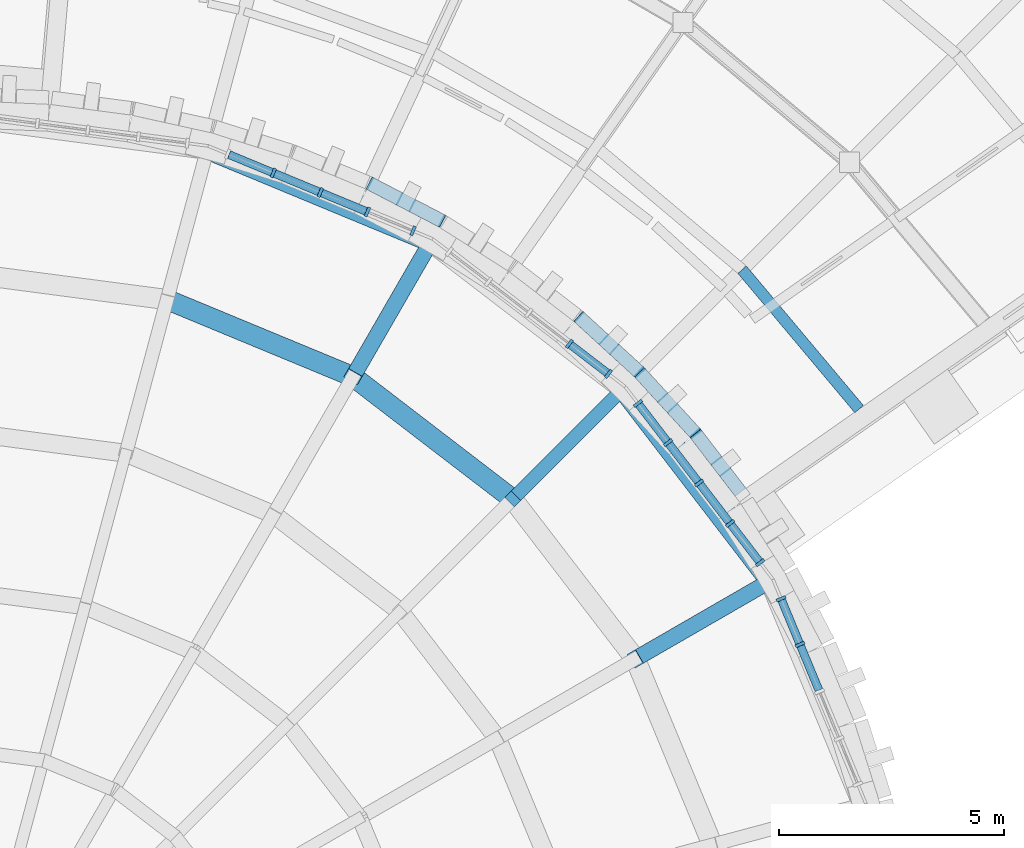
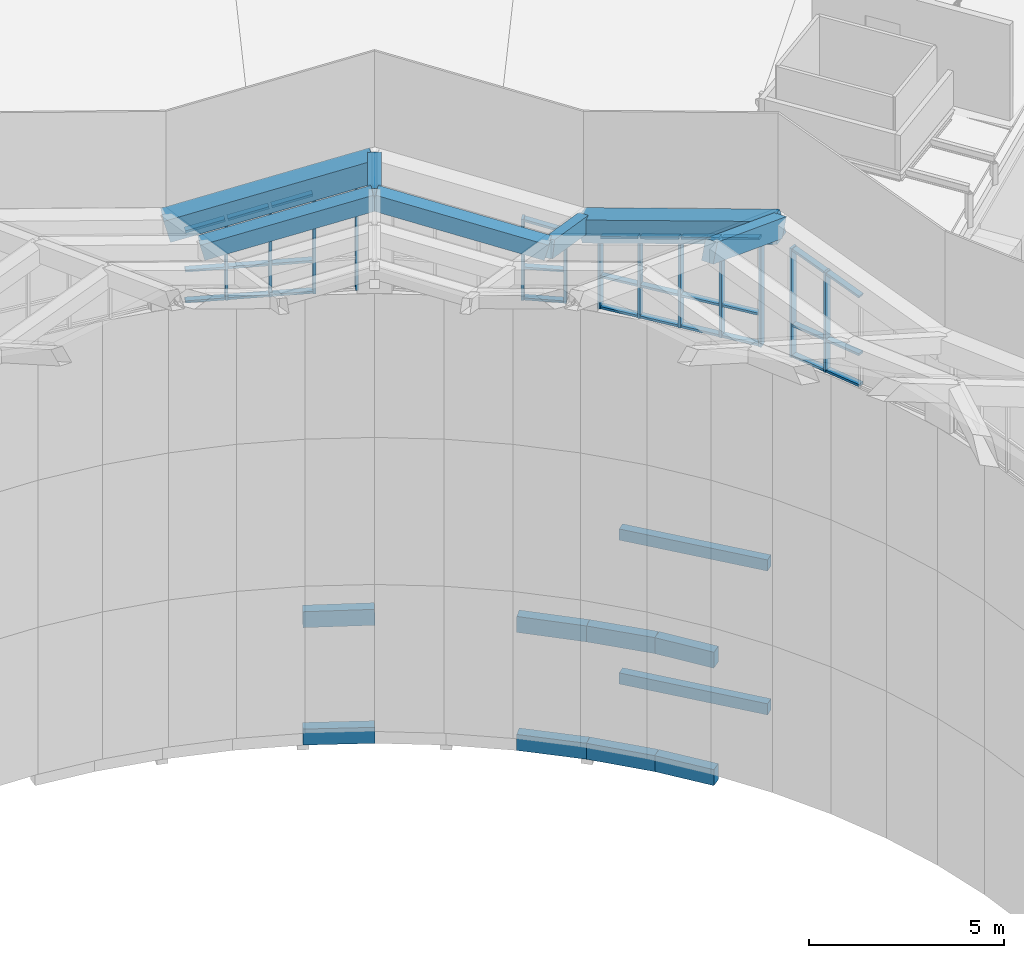
# One storey, part 17 of 82: 43 members, 17 beams, 4 elements without a shape of their own.
"""IFC4 building model written with IfcOpenShell, lengths in metres."""

from ifc_helpers import new_model, si_unit, direction, frame, origin, origin_2d, place, context, subcontext, project, spatial, rectangle, extrude, material, layer, layer_set, material_profile, profile_set, type_object, element, aggregate, save


model = new_model("IFC4")

# Units and contexts
model_context = context("Model", 3, precision=1e-05, world=origin(), true_north=direction((0.0, 1.0)))
body_context = subcontext(model_context, "Body", "Model", "MODEL_VIEW")
ifc_project = project(units=[si_unit("LENGTHUNIT", "METRE"), si_unit("AREAUNIT", "SQUARE_METRE"), si_unit("VOLUMEUNIT", "CUBIC_METRE"), si_unit("PLANEANGLEUNIT", "RADIAN"), si_unit("MASSUNIT", "GRAM", prefix="KILO")], contexts=[model_context])

# Site, building, storey
site_placement = place(None, origin())
site = spatial("IfcSite", under=ifc_project, at=site_placement, CompositionType="ELEMENT")
building_placement = place(site_placement, origin())
building = spatial("IfcBuilding", under=site, at=building_placement, Name="Volute Hill Aquarium", CompositionType="ELEMENT")
storey_placement = place(building_placement, frame((0.0, 0.0, 13.800048828125)))
storey = spatial("IfcBuildingStorey", under=building, at=storey_placement, Name="L04", CompositionType="ELEMENT", Elevation=13.800048828125)

# Curtain wall, members
ifc_material_1 = material(Name="Aluminium", Category="aluminium")
ifc_layer = layer(ifc_material_1, 0.219970703125)
ifc_layer_set = layer_set([ifc_layer], Name="Curtain wall DR clerestory module 1134")
curtain_wall_type = type_object("IfcCurtainWallType", Name="Curtain wall DR clerestory module 1134", PredefinedType="NOTDEFINED", material=ifc_layer_set)
curtain_wall_1_placement = place(storey_placement, origin())
curtain_wall_1 = element("IfcCurtainWall", 1, at=curtain_wall_1_placement, inside=storey, type_object=curtain_wall_type, Name="Curtain wall CW DR clerestory c01", PredefinedType="NOTDEFINED")
ifc_material_2 = material(Name="Aluminium", Category="aluminium")
ifc_material_profile_1 = material_profile(ifc_material_2, rectangle(XDim=0.219970703125, YDim=0.070068359375, at=origin_2d()), Name="Curtain wall mullion clerestory 70x220")
ifc_profile_set_1 = profile_set([ifc_material_profile_1], Name="Aluminium")
member_type_1 = type_object("IfcMemberType", Name="Curtain wall mullion clerestory 70x220", PredefinedType="MULLION", material=ifc_profile_set_1)
member_1_placement = place(storey_placement, frame((18.526611328125, 8.9013671875, 13.699951171875), z_axis=(0.0, 0.0, 1.0), x_axis=(-0.923874284426, -0.382696102118, 0.0)))
member_1 = element("IfcMember", 2, at=member_1_placement, type_object=member_type_1, Name="Mullion DR clerestory 4", PredefinedType="MULLION", context=body_context, shape_type="SweptSolid", body=[
    extrude(rectangle(XDim=0.219970703125, YDim=0.070068359375, at=origin_2d()), origin(), (0.0, 0.0, 1.0), 3.12109375),
])
member_2_placement = place(storey_placement, frame((18.106201171875, 9.916748046875, 13.699951171875), z_axis=(0.0, 0.0, 1.0), x_axis=(-0.923874284426, -0.382696102118, 0.0)))
member_2 = element("IfcMember", 3, at=member_2_placement, type_object=member_type_1, Name="Mullion DR clerestory 5", PredefinedType="MULLION", context=body_context, shape_type="SweptSolid", body=[
    extrude(rectangle(XDim=0.219970703125, YDim=0.070068359375, at=origin_2d()), origin(), (0.0, 0.0, 1.0), 3.40576171875),
])

curtain_wall_2_placement = place(storey_placement, origin())
curtain_wall_2 = element("IfcCurtainWall", 4, at=curtain_wall_2_placement, inside=storey, type_object=curtain_wall_type, Name="Curtain wall CW DR clerestory c02", PredefinedType="NOTDEFINED")
member_3_placement = place(storey_placement, frame((17.641357421875, 10.721923828125, 13.699951171875), z_axis=(0.0, 0.0, 1.0), x_axis=(-0.793354013303, -0.608760551921, 0.0)))
member_3 = element("IfcMember", 5, at=member_3_placement, type_object=member_type_1, Name="Mullion DR clerestory 1", PredefinedType="MULLION", context=body_context, shape_type="SweptSolid", body=[
    extrude(rectangle(XDim=0.219970703125, YDim=0.070068359375, at=origin_2d()), origin(), (0.0, 0.0, 1.0), 3.40576171875),
])
member_4_placement = place(storey_placement, frame((16.97216796875, 11.593994140625, 13.699951171875), z_axis=(0.0, 0.0, 1.0), x_axis=(-0.793354013303, -0.608760551921, 0.0)))
member_4 = element("IfcMember", 6, at=member_4_placement, type_object=member_type_1, Name="Mullion DR clerestory 2", PredefinedType="MULLION", context=body_context, shape_type="SweptSolid", body=[
    extrude(rectangle(XDim=0.219970703125, YDim=0.070068359375, at=origin_2d()), origin(), (0.0, 0.0, 1.0), 3.12109375),
])
member_5_placement = place(storey_placement, frame((16.281982421875, 12.49365234375, 13.699951171875), z_axis=(0.0, 0.0, 1.0), x_axis=(-0.793354013303, -0.608760551921, 0.0)))
member_5 = element("IfcMember", 7, at=member_5_placement, type_object=member_type_1, Name="Mullion DR clerestory 3", PredefinedType="MULLION", context=body_context, shape_type="SweptSolid", body=[
    extrude(rectangle(XDim=0.219970703125, YDim=0.070068359375, at=origin_2d()), origin(), (0.0, 0.0, 1.0), 2.827392578125),
])
member_6_placement = place(storey_placement, frame((15.591552734375, 13.393310546875, 13.699951171875), z_axis=(0.0, 0.0, 1.0), x_axis=(-0.793354013303, -0.608760551921, 0.0)))
member_6 = element("IfcMember", 8, at=member_6_placement, type_object=member_type_1, Name="Mullion DR clerestory 4", PredefinedType="MULLION", context=body_context, shape_type="SweptSolid", body=[
    extrude(rectangle(XDim=0.219970703125, YDim=0.070068359375, at=origin_2d()), origin(), (0.0, 0.0, 1.0), 2.533447265625),
])
member_7_placement = place(storey_placement, frame((14.922607421875, 14.26513671875, 13.699951171875), z_axis=(0.0, 0.0, 1.0), x_axis=(-0.793354013303, -0.608760551921, 0.0)))
member_7 = element("IfcMember", 9, at=member_7_placement, type_object=member_type_1, Name="Mullion DR clerestory 5", PredefinedType="MULLION", context=body_context, shape_type="SweptSolid", body=[
    extrude(rectangle(XDim=0.219970703125, YDim=0.070068359375, at=origin_2d()), origin(), (0.0, 0.0, 1.0), 2.248779296875),
])

curtain_wall_3_placement = place(storey_placement, origin())
curtain_wall_3 = element("IfcCurtainWall", 10, at=curtain_wall_3_placement, inside=storey, type_object=curtain_wall_type, Name="Curtain wall CW DR clerestory c03", PredefinedType="NOTDEFINED")
member_8_placement = place(storey_placement, frame((14.26513671875, 14.922607421875, 13.699951171875), z_axis=(0.0, 0.0, 1.0), x_axis=(-0.608760551921, -0.793354013303, 0.0)))
member_8 = element("IfcMember", 11, at=member_8_placement, type_object=member_type_1, Name="Mullion DR clerestory 1", PredefinedType="MULLION", context=body_context, shape_type="SweptSolid", body=[
    extrude(rectangle(XDim=0.219970703125, YDim=0.070068359375, at=origin_2d()), origin(), (0.0, 0.0, 1.0), 2.248779296875),
])
member_9_placement = place(storey_placement, frame((13.393310546875, 15.591552734375, 13.699951171875), z_axis=(0.0, 0.0, 1.0), x_axis=(-0.608760551921, -0.793354013303, 0.0)))
member_9 = element("IfcMember", 12, at=member_9_placement, type_object=member_type_1, Name="Mullion DR clerestory 2", PredefinedType="MULLION", context=body_context, shape_type="SweptSolid", body=[
    extrude(rectangle(XDim=0.219970703125, YDim=0.070068359375, at=origin_2d()), origin(), (0.0, 0.0, 1.0), 2.533447265625),
])

curtain_wall_4_placement = place(storey_placement, origin())
curtain_wall_4 = element("IfcCurtainWall", 13, at=curtain_wall_4_placement, inside=storey, type_object=curtain_wall_type, Name="Curtain wall CW DR clerestory c04", PredefinedType="NOTDEFINED")
member_10_placement = place(storey_placement, frame((9.916748046875, 18.106201171875, 13.699951171875), z_axis=(0.0, 0.0, 1.0), x_axis=(-0.382696102118, -0.923874284426, 0.0)))
member_10 = element("IfcMember", 14, at=member_10_placement, type_object=member_type_1, Name="Mullion DR clerestory 1", PredefinedType="MULLION", context=body_context, shape_type="SweptSolid", body=[
    extrude(rectangle(XDim=0.219970703125, YDim=0.070068359375, at=origin_2d()), origin(), (0.0, 0.0, 1.0), 3.40576171875),
])
member_11_placement = place(storey_placement, frame((8.9013671875, 18.526611328125, 13.699951171875), z_axis=(0.0, 0.0, 1.0), x_axis=(-0.382696102118, -0.923874284426, 0.0)))
member_11 = element("IfcMember", 15, at=member_11_placement, type_object=member_type_1, Name="Mullion DR clerestory 2", PredefinedType="MULLION", context=body_context, shape_type="SweptSolid", body=[
    extrude(rectangle(XDim=0.219970703125, YDim=0.070068359375, at=origin_2d()), origin(), (0.0, 0.0, 1.0), 3.12109375),
])
member_12_placement = place(storey_placement, frame((7.853759765625, 18.960693359375, 13.699951171875), z_axis=(0.0, 0.0, 1.0), x_axis=(-0.382696102118, -0.923874284426, 0.0)))
member_12 = element("IfcMember", 16, at=member_12_placement, type_object=member_type_1, Name="Mullion DR clerestory 3", PredefinedType="MULLION", context=body_context, shape_type="SweptSolid", body=[
    extrude(rectangle(XDim=0.219970703125, YDim=0.070068359375, at=origin_2d()), origin(), (0.0, 0.0, 1.0), 2.827392578125),
])
member_13_placement = place(storey_placement, frame((6.80615234375, 19.394775390625, 13.699951171875), z_axis=(0.0, 0.0, 1.0), x_axis=(-0.382696102118, -0.923874284426, 0.0)))
member_13 = element("IfcMember", 17, at=member_13_placement, type_object=member_type_1, Name="Mullion DR clerestory 4", PredefinedType="MULLION", context=body_context, shape_type="SweptSolid", body=[
    extrude(rectangle(XDim=0.219970703125, YDim=0.070068359375, at=origin_2d()), origin(), (0.0, 0.0, 1.0), 2.533447265625),
])

# Member
ifc_material_3 = material(Name="Aluminium", Category="aluminium")
ifc_material_profile_2 = material_profile(ifc_material_3, rectangle(XDim=0.179931640625, YDim=0.070068359375, at=origin_2d()), Name="Curtain wall transom clerestory 70x180")
ifc_profile_set_2 = profile_set([ifc_material_profile_2], Name="Aluminium")
member_type_2 = type_object("IfcMemberType", Name="Curtain wall transom clerestory 70x180", PredefinedType="USERDEFINED", material=ifc_profile_set_2)
member_14_placement = place(storey_placement, frame((18.947265625, 7.88623046875, 13.73486328125), z_axis=(-0.38275711533, 0.923849008585, 0.0), x_axis=(-0.923849008585, -0.38275711533, 0.0)))
member_14 = element("IfcMember", 18, at=member_14_placement, type_object=member_type_2, Name="Transom DR clerestory 3.1", ObjectType="TRANSOM", PredefinedType="USERDEFINED", context=body_context, shape_type="SweptSolid", body=[
    extrude(rectangle(XDim=0.179931640625, YDim=0.070068359375, at=origin_2d()), origin(), (0.0, 0.0, 1.0), 1.06396484375),
])

member_15_placement = place(storey_placement, frame((18.947265625, 7.88623046875, 14.699951171875), z_axis=(-0.38275711533, 0.923849008585, 0.0), x_axis=(-0.923849008585, -0.38275711533, 0.0)))
member_15 = element("IfcMember", 19, at=member_15_placement, type_object=member_type_2, Name="Transom DR clerestory 3.2", ObjectType="TRANSOM", PredefinedType="USERDEFINED", context=body_context, shape_type="SweptSolid", body=[
    extrude(rectangle(XDim=0.179931640625, YDim=0.070068359375, at=origin_2d()), origin(), (0.0, 0.0, 1.0), 1.06396484375),
])

member_16_placement = place(storey_placement, frame((18.947265625, 7.88623046875, 16.501220703125), z_axis=(-0.3705038637, 0.894273714183, 0.251000818934), x_axis=(-0.923849008585, -0.38275711533, 0.0)))
member_16 = element("IfcMember", 20, at=member_16_placement, type_object=member_type_2, Name="Head member DR clerestory 3", ObjectType="TRANSOM", PredefinedType="USERDEFINED", context=body_context, shape_type="SweptSolid", body=[
    extrude(rectangle(XDim=0.179931640625, YDim=0.070068359375, at=origin_2d()), origin(), (0.0, 0.0, 1.0), 1.09912109375),
])

member_17_placement = place(storey_placement, frame((18.513427734375, 8.933837890625, 13.73486328125), z_axis=(-0.382694041496, 0.923875137994, 0.0), x_axis=(-0.923875137994, -0.382694041496, 0.0)))
member_17 = element("IfcMember", 21, at=member_17_placement, type_object=member_type_2, Name="Transom DR clerestory 4.1", ObjectType="TRANSOM", PredefinedType="USERDEFINED", context=body_context, shape_type="SweptSolid", body=[
    extrude(rectangle(XDim=0.179931640625, YDim=0.070068359375, at=origin_2d()), origin(), (0.0, 0.0, 1.0), 1.029052734375),
])

member_18_placement = place(storey_placement, frame((18.513427734375, 8.933837890625, 14.699951171875), z_axis=(-0.382694041496, 0.923875137994, 0.0), x_axis=(-0.923875137994, -0.382694041496, 0.0)))
member_18 = element("IfcMember", 22, at=member_18_placement, type_object=member_type_2, Name="Transom DR clerestory 4.2", ObjectType="TRANSOM", PredefinedType="USERDEFINED", context=body_context, shape_type="SweptSolid", body=[
    extrude(rectangle(XDim=0.179931640625, YDim=0.070068359375, at=origin_2d()), origin(), (0.0, 0.0, 1.0), 1.029052734375),
])

member_19_placement = place(storey_placement, frame((18.513427734375, 8.933837890625, 16.795166015625), z_axis=(-0.370462446249, 0.894346413946, 0.250802846438), x_axis=(-0.923875137994, -0.382694041496, 0.0)))
member_19 = element("IfcMember", 23, at=member_19_placement, type_object=member_type_2, Name="Head member DR clerestory 4", ObjectType="TRANSOM", PredefinedType="USERDEFINED", context=body_context, shape_type="SweptSolid", body=[
    extrude(rectangle(XDim=0.179931640625, YDim=0.070068359375, at=origin_2d()), origin(), (0.0, 0.0, 1.0), 1.06298828125),
])

aggregate(curtain_wall_1, [member_1, member_2, member_14, member_15, member_16, member_17, member_18, member_19])

member_20_placement = place(storey_placement, frame((17.619873046875, 10.749755859375, 13.73486328125), z_axis=(-0.608620818261, 0.793461214918, 0.0), x_axis=(-0.793461214918, -0.608620818261, 0.0)))
member_20 = element("IfcMember", 24, at=member_20_placement, type_object=member_type_2, Name="Transom DR clerestory 1.1", ObjectType="TRANSOM", PredefinedType="USERDEFINED", context=body_context, shape_type="SweptSolid", body=[
    extrude(rectangle(XDim=0.179931640625, YDim=0.070068359375, at=origin_2d()), origin(), (0.0, 0.0, 1.0), 1.02880859375),
])

member_21_placement = place(storey_placement, frame((17.619873046875, 10.749755859375, 14.699951171875), z_axis=(-0.608620818261, 0.793461214918, 0.0), x_axis=(-0.793461214918, -0.608620818261, 0.0)))
member_21 = element("IfcMember", 25, at=member_21_placement, type_object=member_type_2, Name="Transom DR clerestory 1.2", ObjectType="TRANSOM", PredefinedType="USERDEFINED", context=body_context, shape_type="SweptSolid", body=[
    extrude(rectangle(XDim=0.179931640625, YDim=0.070068359375, at=origin_2d()), origin(), (0.0, 0.0, 1.0), 1.02880859375),
])

member_22_placement = place(storey_placement, frame((17.619873046875, 10.749755859375, 17.061767578125), z_axis=(-0.58916460075, 0.768096072089, -0.250825631196), x_axis=(-0.793461214918, -0.608620818261, 0.0)))
member_22 = element("IfcMember", 26, at=member_22_placement, type_object=member_type_2, Name="Head member DR clerestory 1", ObjectType="TRANSOM", PredefinedType="USERDEFINED", context=body_context, shape_type="SweptSolid", body=[
    extrude(rectangle(XDim=0.179931640625, YDim=0.070068359375, at=origin_2d()), origin(), (0.0, 0.0, 1.0), 1.06298828125),
])

member_23_placement = place(storey_placement, frame((16.950927734375, 11.62158203125, 13.73486328125), z_axis=(-0.608701247669, 0.793399515431, 0.0), x_axis=(-0.793399515431, -0.608701247669, 0.0)))
member_23 = element("IfcMember", 27, at=member_23_placement, type_object=member_type_2, Name="Transom DR clerestory 2.1", ObjectType="TRANSOM", PredefinedType="USERDEFINED", context=body_context, shape_type="SweptSolid", body=[
    extrude(rectangle(XDim=0.179931640625, YDim=0.070068359375, at=origin_2d()), origin(), (0.0, 0.0, 1.0), 1.06396484375),
])

member_24_placement = place(storey_placement, frame((16.950927734375, 11.62158203125, 14.699951171875), z_axis=(-0.608701247669, 0.793399515431, 0.0), x_axis=(-0.793399515431, -0.608701247669, 0.0)))
member_24 = element("IfcMember", 28, at=member_24_placement, type_object=member_type_2, Name="Transom DR clerestory 2.2", ObjectType="TRANSOM", PredefinedType="USERDEFINED", context=body_context, shape_type="SweptSolid", body=[
    extrude(rectangle(XDim=0.179931640625, YDim=0.070068359375, at=origin_2d()), origin(), (0.0, 0.0, 1.0), 1.06396484375),
])

member_25_placement = place(storey_placement, frame((16.950927734375, 11.62158203125, 16.777099609375), z_axis=(-0.589219970321, 0.768007032556, -0.250968174317), x_axis=(-0.793399515431, -0.608701247669, 0.0)))
member_25 = element("IfcMember", 29, at=member_25_placement, type_object=member_type_2, Name="Head member DR clerestory 2", ObjectType="TRANSOM", PredefinedType="USERDEFINED", context=body_context, shape_type="SweptSolid", body=[
    extrude(rectangle(XDim=0.179931640625, YDim=0.070068359375, at=origin_2d()), origin(), (0.0, 0.0, 1.0), 1.099365234375),
])

member_26_placement = place(storey_placement, frame((16.260498046875, 12.521240234375, 13.73486328125), z_axis=(-0.608701247669, 0.793399515431, 0.0), x_axis=(-0.793399515431, -0.608701247669, 0.0)))
member_26 = element("IfcMember", 30, at=member_26_placement, type_object=member_type_2, Name="Transom DR clerestory 3.1", ObjectType="TRANSOM", PredefinedType="USERDEFINED", context=body_context, shape_type="SweptSolid", body=[
    extrude(rectangle(XDim=0.179931640625, YDim=0.070068359375, at=origin_2d()), origin(), (0.0, 0.0, 1.0), 1.06396484375),
])

member_27_placement = place(storey_placement, frame((16.260498046875, 12.521240234375, 14.699951171875), z_axis=(-0.608701247669, 0.793399515431, 0.0), x_axis=(-0.793399515431, -0.608701247669, 0.0)))
member_27 = element("IfcMember", 31, at=member_27_placement, type_object=member_type_2, Name="Transom DR clerestory 3.2", ObjectType="TRANSOM", PredefinedType="USERDEFINED", context=body_context, shape_type="SweptSolid", body=[
    extrude(rectangle(XDim=0.179931640625, YDim=0.070068359375, at=origin_2d()), origin(), (0.0, 0.0, 1.0), 1.06396484375),
])

member_28_placement = place(storey_placement, frame((16.260498046875, 12.521240234375, 16.483154296875), z_axis=(-0.589252801041, 0.768049825103, -0.250760049896), x_axis=(-0.793399515431, -0.608701247669, 0.0)))
member_28 = element("IfcMember", 32, at=member_28_placement, type_object=member_type_2, Name="Head member DR clerestory 3", ObjectType="TRANSOM", PredefinedType="USERDEFINED", context=body_context, shape_type="SweptSolid", body=[
    extrude(rectangle(XDim=0.179931640625, YDim=0.070068359375, at=origin_2d()), origin(), (0.0, 0.0, 1.0), 1.09912109375),
])

member_29_placement = place(storey_placement, frame((15.5703125, 13.4208984375, 13.73486328125), z_axis=(-0.608770172228, 0.793346631306, 0.0), x_axis=(-0.793346631306, -0.608770172228, 0.0)))
member_29 = element("IfcMember", 33, at=member_29_placement, type_object=member_type_2, Name="Transom DR clerestory 4.1", ObjectType="TRANSOM", PredefinedType="USERDEFINED", context=body_context, shape_type="SweptSolid", body=[
    extrude(rectangle(XDim=0.179931640625, YDim=0.070068359375, at=origin_2d()), origin(), (0.0, 0.0, 1.0), 1.029052734375),
])

member_30_placement = place(storey_placement, frame((15.5703125, 13.4208984375, 14.699951171875), z_axis=(-0.608770172228, 0.793346631306, 0.0), x_axis=(-0.793346631306, -0.608770172228, 0.0)))
member_30 = element("IfcMember", 34, at=member_30_placement, type_object=member_type_2, Name="Transom DR clerestory 4.2", ObjectType="TRANSOM", PredefinedType="USERDEFINED", context=body_context, shape_type="SweptSolid", body=[
    extrude(rectangle(XDim=0.179931640625, YDim=0.070068359375, at=origin_2d()), origin(), (0.0, 0.0, 1.0), 1.029052734375),
])

member_31_placement = place(storey_placement, frame((15.5703125, 13.4208984375, 16.189453125), z_axis=(-0.589314533966, 0.767992128442, -0.250791687876), x_axis=(-0.793346631306, -0.608770172228, 0.0)))
member_31 = element("IfcMember", 35, at=member_31_placement, type_object=member_type_2, Name="Head member DR clerestory 4", ObjectType="TRANSOM", PredefinedType="USERDEFINED", context=body_context, shape_type="SweptSolid", body=[
    extrude(rectangle(XDim=0.179931640625, YDim=0.070068359375, at=origin_2d()), origin(), (0.0, 0.0, 1.0), 1.06298828125),
])

aggregate(curtain_wall_2, [member_3, member_4, member_5, member_6, member_7, member_20, member_21, member_22, member_23, member_24, member_25, member_26, member_27, member_28, member_29, member_30, member_31])

member_32_placement = place(storey_placement, frame((14.2373046875, 14.94384765625, 13.73486328125), z_axis=(-0.793346631306, 0.608770172228, 0.0), x_axis=(-0.608770172228, -0.793346631306, 0.0)))
member_32 = element("IfcMember", 36, at=member_32_placement, type_object=member_type_2, Name="Transom DR clerestory 1.1", ObjectType="TRANSOM", PredefinedType="USERDEFINED", context=body_context, shape_type="SweptSolid", body=[
    extrude(rectangle(XDim=0.179931640625, YDim=0.070068359375, at=origin_2d()), origin(), (0.0, 0.0, 1.0), 1.029052734375),
])

member_33_placement = place(storey_placement, frame((14.2373046875, 14.94384765625, 14.699951171875), z_axis=(-0.793346631306, 0.608770172228, 0.0), x_axis=(-0.608770172228, -0.793346631306, 0.0)))
member_33 = element("IfcMember", 37, at=member_33_placement, type_object=member_type_2, Name="Transom DR clerestory 1.2", ObjectType="TRANSOM", PredefinedType="USERDEFINED", context=body_context, shape_type="SweptSolid", body=[
    extrude(rectangle(XDim=0.179931640625, YDim=0.070068359375, at=origin_2d()), origin(), (0.0, 0.0, 1.0), 1.029052734375),
])

member_34_placement = place(storey_placement, frame((14.2373046875, 14.94384765625, 15.9228515625), z_axis=(-0.767992128442, 0.589314533966, 0.250791687876), x_axis=(-0.608770172228, -0.793346631306, 0.0)))
member_34 = element("IfcMember", 38, at=member_34_placement, type_object=member_type_2, Name="Head member DR clerestory 1", ObjectType="TRANSOM", PredefinedType="USERDEFINED", context=body_context, shape_type="SweptSolid", body=[
    extrude(rectangle(XDim=0.179931640625, YDim=0.070068359375, at=origin_2d()), origin(), (0.0, 0.0, 1.0), 1.06298828125),
])

aggregate(curtain_wall_3, [member_8, member_9, member_32, member_33, member_34])

member_35_placement = place(storey_placement, frame((8.869140625, 18.5400390625, 13.73486328125), z_axis=(-0.923849008585, 0.38275711533, 0.0), x_axis=(-0.38275711533, -0.923849008585, 0.0)))
member_35 = element("IfcMember", 39, at=member_35_placement, type_object=member_type_2, Name="Transom DR clerestory 2.1", ObjectType="TRANSOM", PredefinedType="USERDEFINED", context=body_context, shape_type="SweptSolid", body=[
    extrude(rectangle(XDim=0.179931640625, YDim=0.070068359375, at=origin_2d()), origin(), (0.0, 0.0, 1.0), 1.06396484375),
])

member_36_placement = place(storey_placement, frame((8.869140625, 18.5400390625, 14.699951171875), z_axis=(-0.923849008585, 0.38275711533, 0.0), x_axis=(-0.38275711533, -0.923849008585, 0.0)))
member_36 = element("IfcMember", 40, at=member_36_placement, type_object=member_type_2, Name="Transom DR clerestory 2.2", ObjectType="TRANSOM", PredefinedType="USERDEFINED", context=body_context, shape_type="SweptSolid", body=[
    extrude(rectangle(XDim=0.179931640625, YDim=0.070068359375, at=origin_2d()), origin(), (0.0, 0.0, 1.0), 1.06396484375),
])

member_37_placement = place(storey_placement, frame((8.869140625, 18.5400390625, 16.777099609375), z_axis=(-0.894273714183, 0.3705038637, -0.251000818934), x_axis=(-0.38275711533, -0.923849008585, 0.0)))
member_37 = element("IfcMember", 41, at=member_37_placement, type_object=member_type_2, Name="Head member DR clerestory 2", ObjectType="TRANSOM", PredefinedType="USERDEFINED", context=body_context, shape_type="SweptSolid", body=[
    extrude(rectangle(XDim=0.179931640625, YDim=0.070068359375, at=origin_2d()), origin(), (0.0, 0.0, 1.0), 1.09912109375),
])

member_38_placement = place(storey_placement, frame((7.821533203125, 18.97412109375, 13.73486328125), z_axis=(-0.923882616045, 0.382675987972, 0.0), x_axis=(-0.382675987972, -0.923882616045, 0.0)))
member_38 = element("IfcMember", 42, at=member_38_placement, type_object=member_type_2, Name="Transom DR clerestory 3.1", ObjectType="TRANSOM", PredefinedType="USERDEFINED", context=body_context, shape_type="SweptSolid", body=[
    extrude(rectangle(XDim=0.179931640625, YDim=0.070068359375, at=origin_2d()), origin(), (0.0, 0.0, 1.0), 1.064208984375),
])

member_39_placement = place(storey_placement, frame((7.821533203125, 18.97412109375, 14.699951171875), z_axis=(-0.923882616045, 0.382675987972, 0.0), x_axis=(-0.382675987972, -0.923882616045, 0.0)))
member_39 = element("IfcMember", 43, at=member_39_placement, type_object=member_type_2, Name="Transom DR clerestory 3.2", ObjectType="TRANSOM", PredefinedType="USERDEFINED", context=body_context, shape_type="SweptSolid", body=[
    extrude(rectangle(XDim=0.179931640625, YDim=0.070068359375, at=origin_2d()), origin(), (0.0, 0.0, 1.0), 1.064208984375),
])

member_40_placement = place(storey_placement, frame((7.821533203125, 18.97412109375, 16.483154296875), z_axis=(-0.894368010473, 0.37045091668, -0.250742856674), x_axis=(-0.382675987972, -0.923882616045, 0.0)))
member_40 = element("IfcMember", 44, at=member_40_placement, type_object=member_type_2, Name="Head member DR clerestory 3", ObjectType="TRANSOM", PredefinedType="USERDEFINED", context=body_context, shape_type="SweptSolid", body=[
    extrude(rectangle(XDim=0.179931640625, YDim=0.070068359375, at=origin_2d()), origin(), (0.0, 0.0, 1.0), 1.099365234375),
])

member_41_placement = place(storey_placement, frame((6.773681640625, 19.407958984375, 13.73486328125), z_axis=(-0.923840379293, 0.382777942923, 0.0), x_axis=(-0.382777942923, -0.923840379293, 0.0)))
member_41 = element("IfcMember", 45, at=member_41_placement, type_object=member_type_2, Name="Transom DR clerestory 4.1", ObjectType="TRANSOM", PredefinedType="USERDEFINED", context=body_context, shape_type="SweptSolid", body=[
    extrude(rectangle(XDim=0.179931640625, YDim=0.070068359375, at=origin_2d()), origin(), (0.0, 0.0, 1.0), 1.02880859375),
])

member_42_placement = place(storey_placement, frame((6.773681640625, 19.407958984375, 14.699951171875), z_axis=(-0.923840379293, 0.382777942923, 0.0), x_axis=(-0.382777942923, -0.923840379293, 0.0)))
member_42 = element("IfcMember", 46, at=member_42_placement, type_object=member_type_2, Name="Transom DR clerestory 4.2", ObjectType="TRANSOM", PredefinedType="USERDEFINED", context=body_context, shape_type="SweptSolid", body=[
    extrude(rectangle(XDim=0.179931640625, YDim=0.070068359375, at=origin_2d()), origin(), (0.0, 0.0, 1.0), 1.02880859375),
])

member_43_placement = place(storey_placement, frame((6.773681640625, 19.407958984375, 16.189453125), z_axis=(-0.894300432006, 0.370538555568, -0.250854372399), x_axis=(-0.382777942923, -0.923840379293, 0.0)))
member_43 = element("IfcMember", 47, at=member_43_placement, type_object=member_type_2, Name="Head member DR clerestory 4", ObjectType="TRANSOM", PredefinedType="USERDEFINED", context=body_context, shape_type="SweptSolid", body=[
    extrude(rectangle(XDim=0.179931640625, YDim=0.070068359375, at=origin_2d()), origin(), (0.0, 0.0, 1.0), 1.062744140625),
])

aggregate(curtain_wall_4, [member_10, member_11, member_12, member_13, member_35, member_36, member_37, member_38, member_39, member_40, member_41, member_42, member_43])

# Beams
ifc_material_4 = material(Name="Concrete C40/50", Category="concrete")
ifc_material_profile_3 = material_profile(ifc_material_4, rectangle(XDim=0.60009765625, YDim=0.699951171875, at=origin_2d()), Name="RC beam 600x700")
ifc_profile_set_3 = profile_set([ifc_material_profile_3], Name="Concrete C40/50")
beam_type_1 = type_object("IfcBeamType", Name="Dome shell eave ring beam 600x700", PredefinedType="BEAM", material=ifc_profile_set_3)
for number, where, z_axis, x_axis, name in (
    (48, (17.9267578125, 10.35009765625, 17.51611328125), (-0.58930025924, 0.768005978347, -0.250782817759), (-0.793359055165, -0.608753981167, 0.0), "rb/DR/L04/eave.2"),
    (49, (10.35009765625, 17.9267578125, 17.51611328125), (-0.894359389043, 0.370444717355, -0.250782763791), (-0.382673670509, -0.923883575944, 0.0), "rb/DR/L04/eave.4"),
):
    element("IfcBeam", number, at=place(storey_placement, frame(where, z_axis=z_axis, x_axis=x_axis)), inside=storey, type_object=beam_type_1, Name=name, PredefinedType="BEAM", context=body_context, shape_type="SweptSolid", body=[
        extrude(rectangle(XDim=0.60009765625, YDim=0.699951171875, at=origin_2d()), origin(), (0.0, 0.0, 1.0), 5.58203125),
    ])
ifc_material_5 = material(Name="Concrete C40/50", Category="concrete")
ifc_material_profile_4 = material_profile(ifc_material_5, rectangle(XDim=0.35009765625, YDim=0.60009765625, at=origin_2d()), Name="RC rib 350x600")
ifc_profile_set_4 = profile_set([ifc_material_profile_4], Name="Concrete C40/50")
beam_type_2 = type_object("IfcBeamType", Name="Dome shell ridge rib 350x600", PredefinedType="BEAM", material=ifc_profile_set_4)
for number, where, z_axis, x_axis, name in (
    (50, (17.9267578125, 10.35009765625, 17.556884765625), (-0.80977897668, -0.467539824873, 0.354491919631), (0.500011000363, -0.866019052629, 0.0), "rb/DR/L04/ridge0.2"),
    (51, (10.35009765625, 17.9267578125, 17.556884765625), (-0.467539824873, -0.80977897668, 0.354491919631), (0.866019052629, -0.500011000363, 0.0), "rb/DR/L04/ridge0.4"),
):
    element("IfcBeam", number, at=place(storey_placement, frame(where, z_axis=z_axis, x_axis=x_axis)), inside=storey, type_object=beam_type_2, Name=name, PredefinedType="BEAM", context=body_context, shape_type="SweptSolid", body=[
        extrude(rectangle(XDim=0.35009765625, YDim=0.60009765625, at=origin_2d()), origin(), (0.0, 0.0, 1.0), 3.785888671875),
    ])
ifc_material_6 = material(Name="Concrete C40/50", Category="concrete")
ifc_material_profile_5 = material_profile(ifc_material_6, rectangle(XDim=0.449951171875, YDim=0.5, at=origin_2d()), Name="RC beam 450x500")
ifc_profile_set_5 = profile_set([ifc_material_profile_5], Name="Concrete C40/50")
beam_type_3 = type_object("IfcBeamType", Name="Dome shell ring beam 450x500", PredefinedType="BEAM", material=ifc_profile_set_5)
beam_1_placement = place(storey_placement, frame((12.134033203125, 12.134033203125, 17.801025390625), z_axis=(-0.767994272249, 0.589303841521, 0.250810247322), x_axis=(-0.608762150599, -0.793352786595, 0.0)))
element("IfcBeam", 52, at=beam_1_placement, inside=storey, type_object=beam_type_3, Name="rb/DR/L04/ring1.3", PredefinedType="BEAM", context=body_context, shape_type="SweptSolid", body=[
    extrude(rectangle(XDim=0.449951171875, YDim=0.5, at=origin_2d()), origin(), (0.0, 0.0, 1.0), 4.627685546875),
])
beam_2_placement = place(storey_placement, frame((8.580078125, 14.861083984375, 18.961669921875), z_axis=(-0.894361984725, 0.37041738407, -0.250813878916), x_axis=(-0.382648621371, -0.923893950929, 0.0)))
element("IfcBeam", 53, at=beam_2_placement, inside=storey, type_object=beam_type_3, Name="rb/DR/L04/ring1.4", PredefinedType="BEAM", context=body_context, shape_type="SweptSolid", body=[
    extrude(rectangle(XDim=0.449951171875, YDim=0.5, at=origin_2d()), origin(), (0.0, 0.0, 1.0), 4.62744140625),
])
ifc_material_7 = material(Name="Concrete C40/50", Category="concrete")
ifc_material_profile_6 = material_profile(ifc_material_7, rectangle(XDim=0.300048828125, YDim=0.5, at=origin_2d()), Name="RC rib 300x500")
ifc_profile_set_6 = profile_set([ifc_material_profile_6], Name="Concrete C40/50")
beam_type_4 = type_object("IfcBeamType", Name="Dome shell valley rib 300x500", PredefinedType="BEAM", material=ifc_profile_set_6)
beam_3_placement = place(storey_placement, frame((14.63720703125, 14.63720703125, 16.203857421875), z_axis=(-0.645606140124, -0.645606140124, 0.407903694111), x_axis=(0.707106781187, -0.707106781187, 0.0)))
element("IfcBeam", 54, at=beam_3_placement, inside=storey, type_object=beam_type_4, Name="rb/DR/L04/valley0.3", PredefinedType="BEAM", context=body_context, shape_type="SweptSolid", body=[
    extrude(rectangle(XDim=0.300048828125, YDim=0.5, at=origin_2d()), origin(), (0.0, 0.0, 1.0), 3.877197265625),
])
ifc_material_8 = material(Name="Concrete C35/45", Category="concrete")
ifc_material_profile_7 = material_profile(ifc_material_8, rectangle(XDim=0.300048828125, YDim=0.5, at=origin_2d()), Name="RC edge beam 300x500")
ifc_profile_set_7 = profile_set([ifc_material_profile_7], Name="Concrete C35/45")
beam_type_5 = type_object("IfcBeamType", Name="Edge beam 300x500 C35/45", PredefinedType="BEAM", material=ifc_profile_set_7)
beam_4_placement = place(storey_placement, frame((17.203369140625, 12.2900390625, -0.5400390625), z_axis=(-0.608820957391, 0.793307659009, 0.0), x_axis=(-0.793307659009, -0.608820957391, 0.0)))
element("IfcBeam", 55, at=beam_4_placement, inside=storey, type_object=beam_type_5, Name="bm/S5/L04/edgeD.32", PredefinedType="BEAM", context=body_context, shape_type="SweptSolid", body=[
    extrude(rectangle(XDim=0.300048828125, YDim=0.5, at=origin_2d()), origin(), (0.0, 0.0, 1.0), 1.64501953125),
])
for number, where, z_axis, x_axis, name in (
    (56, (16.201904296875, 13.594970703125, -0.5400390625), (-0.675604786356, 0.73726397759, 0.0), (-0.73726397759, -0.675604786356, 0.0), "bm/S5/L04/edgeD.33"),
    (57, (14.955322265625, 14.955322265625, -0.5400390625), (-0.73726397759, 0.675604786356, 0.0), (-0.675604786356, -0.73726397759, 0.0), "bm/S5/L04/edgeD.34"),
    (58, (10.5751953125, 18.316650390625, -0.5400390625), (-0.887058600994, 0.461656840523, 0.0), (-0.461656840523, -0.887058600994, 0.0), "bm/S5/L04/edgeD.37"),
):
    element("IfcBeam", number, at=place(storey_placement, frame(where, z_axis=z_axis, x_axis=x_axis)), inside=storey, type_object=beam_type_5, Name=name, PredefinedType="BEAM", context=body_context, shape_type="SweptSolid", body=[
        extrude(rectangle(XDim=0.300048828125, YDim=0.5, at=origin_2d()), origin(), (0.0, 0.0, 1.0), 1.84521484375),
    ])
beam_5_placement = place(storey_placement, frame((17.203369140625, 12.2900390625, 3.132568359375), z_axis=(-0.608782228664, 0.793257194591, 0.011279241682), x_axis=(-0.793307659009, -0.608820957391, 0.0)))
element("IfcBeam", 59, at=beam_5_placement, inside=storey, type_object=beam_type_5, Name="rb/S5/L04/edgeD.32", PredefinedType="BEAM", context=body_context, shape_type="SweptSolid", body=[
    extrude(rectangle(XDim=0.300048828125, YDim=0.5, at=origin_2d()), origin(), (0.0, 0.0, 1.0), 1.64501953125),
])
for number, where, z_axis, x_axis, name in (
    (60, (16.201904296875, 13.594970703125, 3.151123046875), (-0.675562061246, 0.737217353166, -0.011246136938), (-0.73726397759, -0.675604786356, 0.0), "rb/S5/L04/edgeD.33"),
    (61, (14.955322265625, 14.955322265625, 3.13037109375), (-0.737217353166, 0.675562061246, 0.011246136938), (-0.675604786356, -0.73726397759, 0.0), "rb/S5/L04/edgeD.34"),
    (62, (10.5751953125, 18.316650390625, 3.151123046875), (-0.887002501935, 0.461627644578, -0.011246302605), (-0.461656840523, -0.887058600994, 0.0), "rb/S5/L04/edgeD.37"),
):
    element("IfcBeam", number, at=place(storey_placement, frame(where, z_axis=z_axis, x_axis=x_axis)), inside=storey, type_object=beam_type_5, Name=name, PredefinedType="BEAM", context=body_context, shape_type="SweptSolid", body=[
        extrude(rectangle(XDim=0.300048828125, YDim=0.5, at=origin_2d()), origin(), (0.0, 0.0, 1.0), 1.84521484375),
    ])
ifc_material_9 = material(Name="Concrete C35/45", Category="concrete")
ifc_material_profile_8 = material_profile(ifc_material_9, rectangle(XDim=0.25, YDim=0.35009765625, at=origin_2d()), Name="RC joist 250x350")
ifc_profile_set_8 = profile_set([ifc_material_profile_8], Name="Concrete C35/45")
beam_type_6 = type_object("IfcBeamType", Name="Joist 250x350 C35/45", PredefinedType="BEAM", material=ifc_profile_set_8)
for number, where, z_axis, x_axis, name in (
    (63, (19.843017578125, 14.13818359375, -0.465087890625), (-0.642831451893, 0.766007653002, 0.0), (-0.766007653002, -0.642831451893, 0.0), "bm/S5/L04/jst1"),
    (64, (19.843017578125, 14.13818359375, 4.0361328125), (-0.642831451893, 0.766007653002, 0.0), (-0.766007653002, -0.642831451893, 0.0), "rb/S5/L04/jst1"),
):
    element("IfcBeam", number, at=place(storey_placement, frame(where, z_axis=z_axis, x_axis=x_axis)), inside=storey, type_object=beam_type_6, Name=name, PredefinedType="BEAM", context=body_context, shape_type="SweptSolid", body=[
        extrude(rectangle(XDim=0.25, YDim=0.35009765625, at=origin_2d()), origin(), (0.0, 0.0, 1.0), 4.04931640625),
    ])

save(model, "model.ifc")
